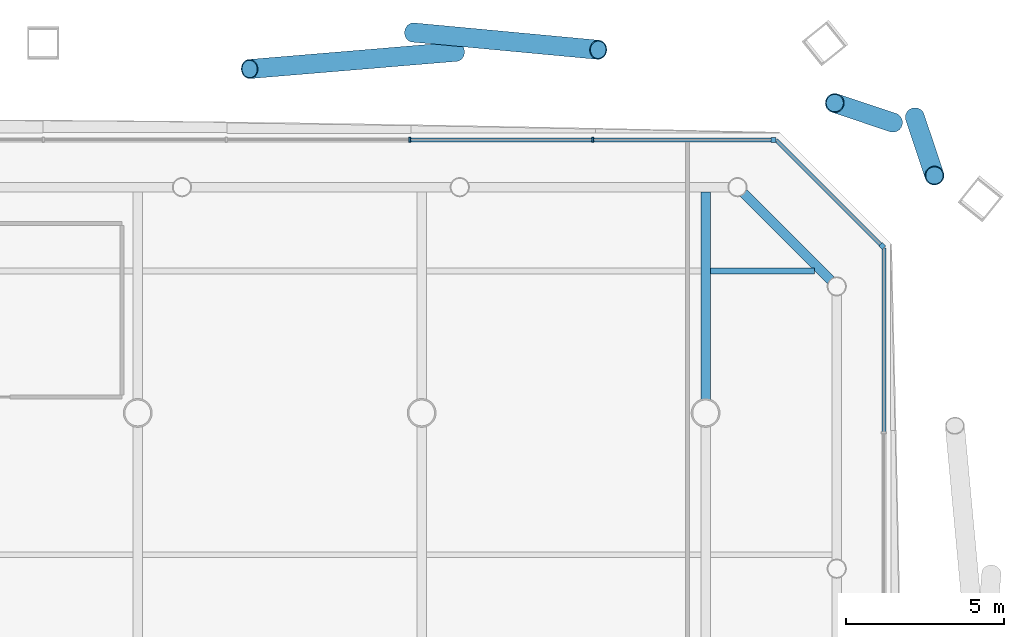
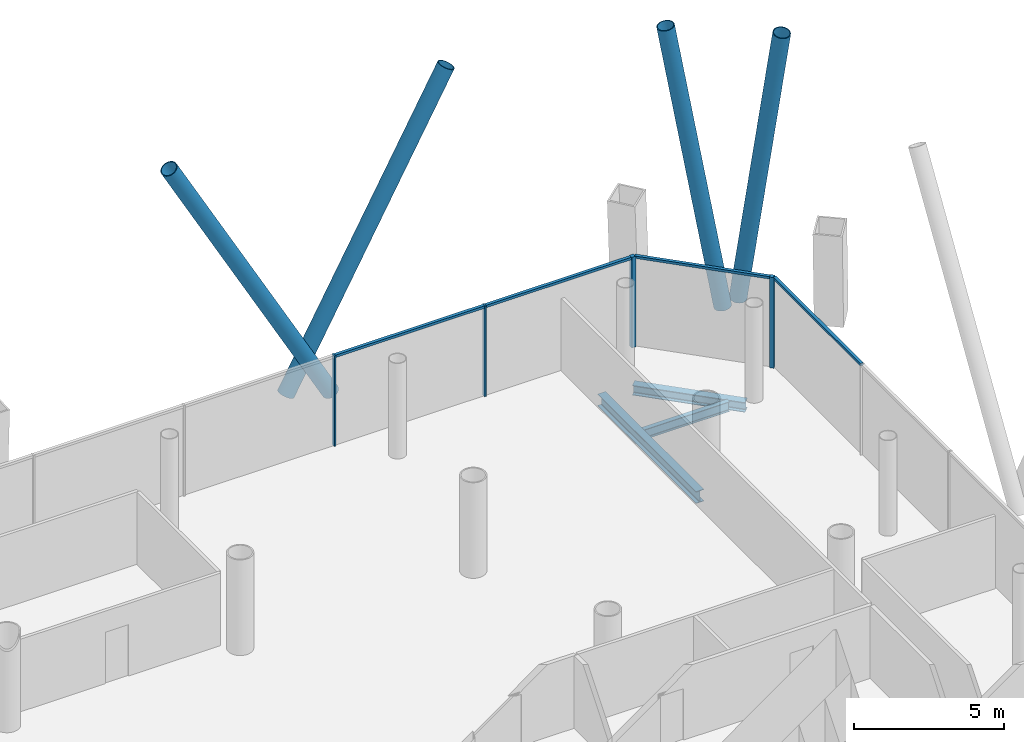
# One storey, part 15 of 25: 12 members, 3 beams, 3 elements without a shape of their own.
"""IFC4 building model written with IfcOpenShell, lengths in metres."""

import ifcopenshell
import ifcopenshell.guid

model = None  # the IFC model being written
_history = None  # IfcOwnerHistory: only IFC2X3 demands one
_inside = {}  # id of a spatial element -> (the spatial element, [elements in it])
_under = {}  # id of a project, library or spatial element -> (it, [spatial elements below it])
_declared = {}  # id of a project -> (the project, [libraries it declares])
_typed = {}  # id of a type object -> (the type object, [elements of that type])
_made_of = {}  # id of a material, layer set ... -> (it, [elements and type objects made of it])


def new_model(schema):
    """Start an empty IFC model of exactly this schema.

    Asked for "IFC4X3", IfcOpenShell would pick the latest addendum, in which some entities
    have other attributes; the version numbers below select the first issue.
    IFC2X3 requires an IfcOwnerHistory on every rooted entity: one is made here for all.
    """
    global model, _history
    if schema == "IFC4X3":
        model = ifcopenshell.file(schema_version=(4, 3, 0, 0))
    else:
        model = ifcopenshell.file(schema=schema)
    _inside.clear()
    _under.clear()
    _declared.clear()
    _typed.clear()
    _made_of.clear()
    _history = None
    if model.schema == "IFC2X3":
        org = make("IfcOrganization", Name="unknown")
        user = make(
            "IfcPersonAndOrganization",
            ThePerson=make("IfcPerson", FamilyName="unknown"),
            TheOrganization=org,
        )
        app = make(
            "IfcApplication",
            ApplicationDeveloper=org,
            Version="unknown",
            ApplicationFullName="unknown",
            ApplicationIdentifier="unknown",
        )
        _history = make(
            "IfcOwnerHistory",
            OwningUser=user,
            OwningApplication=app,
            ChangeAction="ADDED",
            CreationDate=0,
        )
    return model


def make(cls, **values):
    """One entity of the class cls with the attributes given. An attribute that is None is left unset."""
    return model.create_entity(
        cls, **{name: value for name, value in values.items() if value is not None}
    )


def rooted(cls, **values):
    """An entity with a GlobalId (a new one), such as an element, a storey or a relation."""
    return make(cls, GlobalId=ifcopenshell.guid.new(), OwnerHistory=_history, **values)


def si_unit(unit_type, name, prefix=None):
    """IfcSIUnit, for example si_unit("LENGTHUNIT", "METRE", prefix="MILLI")."""
    return make("IfcSIUnit", UnitType=unit_type, Prefix=prefix, Name=name)


def assignment(units):
    """IfcUnitAssignment: the units of a project."""
    return None if units is None else make("IfcUnitAssignment", Units=units)


def point(xyz):
    """IfcCartesianPoint."""
    return None if xyz is None else make("IfcCartesianPoint", Coordinates=xyz)


def direction(xyz):
    """IfcDirection."""
    return None if xyz is None else make("IfcDirection", DirectionRatios=xyz)


def frame(location, z_axis=None, x_axis=None):
    """IfcAxis2Placement3D, a coordinate frame: its origin and axes. An axis left out is left unset."""
    return make(
        "IfcAxis2Placement3D",
        Location=point(location),
        Axis=direction(z_axis),
        RefDirection=direction(x_axis),
    )


def frame_2d(location, x_axis=None):
    """IfcAxis2Placement2D, a coordinate frame in the plane: its origin and x axis."""
    return make(
        "IfcAxis2Placement2D", Location=point(location), RefDirection=direction(x_axis)
    )


def origin():
    """The frame at (0, 0, 0) with its axes left unset."""
    return frame((0.0, 0.0, 0.0))


def origin_2d():
    """The frame at (0, 0) in the plane with its x axis left unset."""
    return frame_2d((0.0, 0.0))


def place(relative_to, where):
    """IfcLocalPlacement: puts the frame where relative to a parent placement (None: the world)."""
    return make(
        "IfcLocalPlacement", PlacementRelTo=relative_to, RelativePlacement=where
    )


def context(
    kind, dimensions, precision=None, world=None, true_north=None, identifier=None
):
    """IfcGeometricRepresentationContext, for example the 3D "Model" context."""
    return make(
        "IfcGeometricRepresentationContext",
        ContextIdentifier=identifier,
        ContextType=kind,
        CoordinateSpaceDimension=dimensions,
        Precision=precision,
        WorldCoordinateSystem=world,
        TrueNorth=true_north,
    )


def subcontext(parent, identifier, kind, view, scale=None):
    """IfcGeometricRepresentationSubContext, for example "Body" below "Model"."""
    return make(
        "IfcGeometricRepresentationSubContext",
        ContextIdentifier=identifier,
        ContextType=kind,
        ParentContext=parent,
        TargetScale=scale,
        TargetView=view,
    )


def project(units=None, contexts=None):
    """IfcProject with its units and contexts."""
    return rooted(
        "IfcProject",
        Name="project",
        RepresentationContexts=contexts,
        UnitsInContext=assignment(units),
    )


def spatial(cls, under=None, at=None, **own):
    """A site, building, storey or space (cls), placed at a placement, below another one or the project."""
    s = rooted(cls, ObjectPlacement=at, **own)
    if under is not None:
        _under.setdefault(under.id(), (under, []))[1].append(s)
    return s


def profile(cls, at=None, kind="AREA", **sizes):
    """A parametric profile (cls). Its sizes go by their IFC names, for example OverallWidth=200.0."""
    return make(cls, ProfileType=kind, Position=at, **sizes)


def rectangle(**sizes):
    """IfcRectangleProfileDef."""
    return profile("IfcRectangleProfileDef", **sizes)


def hollow_circle(**sizes):
    """IfcCircleHollowProfileDef."""
    return profile("IfcCircleHollowProfileDef", **sizes)


def i_section(**sizes):
    """IfcIShapeProfileDef."""
    return profile("IfcIShapeProfileDef", **sizes)


def extrude(swept, where, along, depth):
    """IfcExtrudedAreaSolid: the profile swept, set in the frame where, extruded along a direction by depth."""
    return make(
        "IfcExtrudedAreaSolid",
        SweptArea=swept,
        Position=where,
        ExtrudedDirection=direction(along),
        Depth=depth,
    )


def shape(context_of_items, identifier, shape_type, items):
    """IfcShapeRepresentation: the items that make up one representation, for example the "Body"."""
    return make(
        "IfcShapeRepresentation",
        ContextOfItems=context_of_items,
        RepresentationIdentifier=identifier,
        RepresentationType=shape_type,
        Items=items,
    )


def material(Name=None, Category=None):
    """IfcMaterial."""
    return make("IfcMaterial", Name=Name, Category=Category)


def material_profile(
    of_material, cross_section, Name=None, Category=None, Priority=None
):
    """IfcMaterialProfile: a cross section and its material."""
    return make(
        "IfcMaterialProfile",
        Name=Name,
        Material=of_material,
        Profile=cross_section,
        Priority=Priority,
        Category=Category,
    )


def profile_set(profiles, Name=None, composite=None):
    """IfcMaterialProfileSet."""
    return make(
        "IfcMaterialProfileSet",
        Name=Name,
        MaterialProfiles=profiles,
        CompositeProfile=composite,
    )


def made_of(thing, what):
    """Note that an element or type object is made of a material, layer set ...; save() writes the relation."""
    if what is not None:
        _made_of.setdefault(what.id(), (what, []))[1].append(thing)
    return thing


def type_object(cls, material=None, **own):
    """A type object (cls), such as IfcWallType, which elements share."""
    return made_of(rooted(cls, **own), material)


def element(
    cls,
    number,
    at=None,
    inside=None,
    cuts=None,
    type_object=None,
    material=None,
    context=None,
    identifier="Body",
    shape_type=None,
    held_by="IfcProductDefinitionShape",
    body=None,
    shapes=None,
    **own,
):
    """One element of the class cls, such as IfcWall. Its Tag is "e" and its number.

    at: its placement. inside: the storey or other place that contains it. cuts: it is an
    opening in that element (IfcRelVoidsElement). A single representation is given by context,
    identifier, shape_type and body (its items); several are given by shapes. held_by: the class
    of the entity that holds the representations. save() writes the other relations.
    """
    e = rooted(cls, Tag="e%d" % number, ObjectPlacement=at, **own)
    if body is not None:
        shapes = [shape(context, identifier, shape_type, body)]
    if shapes is not None:
        e.Representation = make(held_by, Representations=shapes)
    if inside is not None:
        _inside.setdefault(inside.id(), (inside, []))[1].append(e)
    if cuts is not None:
        rooted(
            "IfcRelVoidsElement", RelatingBuildingElement=cuts, RelatedOpeningElement=e
        )
    if type_object is not None:
        _typed.setdefault(type_object.id(), (type_object, []))[1].append(e)
    return made_of(e, material)


def aggregate(whole, parts):
    """IfcRelAggregates: a whole, such as a stair, and the parts it consists of."""
    return rooted("IfcRelAggregates", RelatingObject=whole, RelatedObjects=parts)


def save(model, path):
    """Write the relations noted so far, then the file.

    IfcRelAggregates (storeys below a building ...), IfcRelContainedInSpatialStructure (elements
    in a storey), IfcRelDefinesByType, IfcRelAssociatesMaterial and IfcRelDeclares: one each for
    every whole, place, type object, material and project.
    """
    for whole, parts in _under.values():
        aggregate(whole, parts)
    for where, things in _inside.values():
        rooted(
            "IfcRelContainedInSpatialStructure",
            RelatedElements=things,
            RelatingStructure=where,
        )
    for kind, things in _typed.values():
        rooted("IfcRelDefinesByType", RelatedObjects=things, RelatingType=kind)
    for what, things in _made_of.values():
        rooted("IfcRelAssociatesMaterial", RelatedObjects=things, RelatingMaterial=what)
    for by, libraries in _declared.values():
        rooted("IfcRelDeclares", RelatingContext=by, RelatedDefinitions=libraries)
    model.write(path)


model = new_model("IFC4")

# Units and contexts
model_context = context("Model", 3, precision=1e-05, world=origin(), true_north=direction((0.0, 1.0)))
body_context = subcontext(model_context, "Body", "Model", "MODEL_VIEW")
ifc_project = project(units=[si_unit("LENGTHUNIT", "METRE"), si_unit("AREAUNIT", "SQUARE_METRE"), si_unit("VOLUMEUNIT", "CUBIC_METRE"), si_unit("PLANEANGLEUNIT", "RADIAN"), si_unit("MASSUNIT", "GRAM", prefix="KILO")], contexts=[model_context])

# Site, building, storey
site_placement = place(None, origin())
site = spatial("IfcSite", under=ifc_project, at=site_placement, CompositionType="ELEMENT")
building_placement = place(site_placement, origin())
building = spatial("IfcBuilding", under=site, at=building_placement, Name="Tskaro Facet Tower", CompositionType="ELEMENT")
storey_placement = place(building_placement, frame((0.0, 0.0, 34.199951171875)))
storey = spatial("IfcBuildingStorey", under=building, at=storey_placement, Name="L07", CompositionType="ELEMENT", Elevation=34.199951171875)

# Members
ifc_material_1 = material(Name="Steel S355J2H", Category="steel")
ifc_material_profile_1 = material_profile(ifc_material_1, hollow_circle(Radius=0.304931640625, WallThickness=0.030029296875, at=origin_2d()), Name="CHS 610x30")
ifc_profile_set_1 = profile_set([ifc_material_profile_1], Name="Steel S355J2H")
member_type_1 = type_object("IfcMemberType", Name="CHS 610x30 brace", PredefinedType="BRACE", material=ifc_profile_set_1)
for number, where, z_axis, x_axis, name in (
    (1, (23.94091796875, 27.204345703125, 0.0), (-0.155713839372, 0.052220226105, 0.986420928516), (-0.317956764888, -0.948105213392, 0.0), "CHS 610x30 XB06A/1"),
    (2, (24.6357421875, 27.3720703125, 0.0), (0.052220393468, -0.155693754903, 0.986424089928), (0.948092540926, 0.317994550017, 0.0), "CHS 610x30 XB06B/1"),
):
    element("IfcMember", number, at=place(storey_placement, frame(where, z_axis=z_axis, x_axis=x_axis)), inside=storey, type_object=member_type_1, Name=name, PredefinedType="BRACE", context=body_context, shape_type="SweptSolid", body=[
        extrude(hollow_circle(Radius=0.304931640625, WallThickness=0.030029296875, at=origin_2d()), origin(), (0.0, 0.0, 1.0), 11.861083984375),
    ])
member_1_placement = place(storey_placement, frame((10.090576171875, 29.449462890625, 0.0), z_axis=(-0.487823893138, -0.040812718848, 0.871987483433), x_axis=(0.083371543029, -0.996518532599, 0.0)))
element("IfcMember", 3, at=member_1_placement, inside=storey, type_object=member_type_1, Name="CHS 610x30 XB07A/1", PredefinedType="BRACE", context=body_context, shape_type="SweptSolid", body=[
    extrude(hollow_circle(Radius=0.304931640625, WallThickness=0.030029296875, at=origin_2d()), origin(), (0.0, 0.0, 1.0), 13.41748046875),
])
member_2_placement = place(storey_placement, frame((8.7314453125, 30.0595703125, 0.0), z_axis=(0.447783743865, -0.041822472373, 0.893163254693), x_axis=(0.092994089186, 0.995666660774, 0.0)))
element("IfcMember", 4, at=member_2_placement, inside=storey, type_object=member_type_1, Name="CHS 610x30 XB07B/1", PredefinedType="BRACE", context=body_context, shape_type="SweptSolid", body=[
    extrude(hollow_circle(Radius=0.304931640625, WallThickness=0.030029296875, at=origin_2d()), origin(), (0.0, 0.0, 1.0), 13.099365234375),
])

# Curtain wall, member
ifc_material_2 = material(Name="Bronze anodised aluminium 6063-T6", Category="aluminium")
curtain_wall_type = type_object("IfcCurtainWallType", Name="Bronze office curtain wall (FW1)", PredefinedType="NOTDEFINED", material=ifc_material_2)
curtain_wall_1_placement = place(storey_placement, origin())
curtain_wall_1 = element("IfcCurtainWall", 5, at=curtain_wall_1_placement, inside=storey, type_object=curtain_wall_type, Name="FW1 north-east facet L07", PredefinedType="NOTDEFINED")
ifc_material_profile_2 = material_profile(ifc_material_2, rectangle(XDim=0.159912109375, YDim=0.159912109375, at=origin_2d()), Name="Corner post 160x160")
ifc_profile_set_2 = profile_set([ifc_material_profile_2], Name="Bronze anodised aluminium 6063-T6")
member_type_2 = type_object("IfcMemberType", Name="FW1 bronze corner post 160x160", PredefinedType="MULLION", material=ifc_profile_set_2)
member_3_placement = place(storey_placement, frame((23.597412109375, 23.29150390625, 0.0), z_axis=(0.0, 0.0, 1.0), x_axis=(-0.707106781187, 0.707106781187, 0.0)))
member_3 = element("IfcMember", 6, at=member_3_placement, type_object=member_type_2, Name="FW1 north-east corner post", PredefinedType="MULLION", context=body_context, shape_type="SweptSolid", body=[
    extrude(rectangle(XDim=0.159912109375, YDim=0.159912109375, at=origin_2d()), origin(), (0.0, 0.0, 1.0), 3.699951171875),
])

# Curtain wall, members
curtain_wall_2_placement = place(storey_placement, origin())
curtain_wall_2 = element("IfcCurtainWall", 7, at=curtain_wall_2_placement, inside=storey, type_object=curtain_wall_type, Name="FW1 north facet L07", PredefinedType="NOTDEFINED")
member_4_placement = place(storey_placement, frame((20.155029296875, 26.654052734375, 0.0), z_axis=(0.0, 0.0, 1.0), x_axis=(-1.0, 0.0, 0.0)))
member_4 = element("IfcMember", 8, at=member_4_placement, type_object=member_type_2, Name="FW1 north corner post", PredefinedType="MULLION", context=body_context, shape_type="SweptSolid", body=[
    extrude(rectangle(XDim=0.159912109375, YDim=0.159912109375, at=origin_2d()), origin(), (0.0, 0.0, 1.0), 3.699951171875),
])
ifc_material_profile_3 = material_profile(ifc_material_2, rectangle(XDim=0.06005859375, YDim=0.159912109375, at=origin_2d()), Name="Mullion 60x160")
ifc_profile_set_3 = profile_set([ifc_material_profile_3], Name="Bronze anodised aluminium 6063-T6")
member_type_3 = type_object("IfcMemberType", Name="FW1 bronze mullion 60x160", PredefinedType="MULLION", material=ifc_profile_set_3)
member_5_placement = place(storey_placement, frame((14.42626953125, 26.654052734375, 0.0), z_axis=(0.0, 0.0, 1.0), x_axis=(-1.0, 0.0, 0.0)))
member_5 = element("IfcMember", 9, at=member_5_placement, type_object=member_type_3, Name="FW1 north mullion 1", PredefinedType="MULLION", context=body_context, shape_type="SweptSolid", body=[
    extrude(rectangle(XDim=0.06005859375, YDim=0.159912109375, at=origin_2d()), origin(), (0.0, 0.0, 1.0), 3.699951171875),
])
member_6_placement = place(storey_placement, frame((8.617431640625, 26.654052734375, 0.0), z_axis=(0.0, 0.0, 1.0), x_axis=(-1.0, 0.0, 0.0)))
member_6 = element("IfcMember", 10, at=member_6_placement, type_object=member_type_3, Name="FW1 north mullion 2", PredefinedType="MULLION", context=body_context, shape_type="SweptSolid", body=[
    extrude(rectangle(XDim=0.06005859375, YDim=0.159912109375, at=origin_2d()), origin(), (0.0, 0.0, 1.0), 3.699951171875),
])

# Curtain wall, member
curtain_wall_3_placement = place(storey_placement, origin())
curtain_wall_3 = element("IfcCurtainWall", 11, at=curtain_wall_3_placement, inside=storey, type_object=curtain_wall_type, Name="FW1 east facet L07", PredefinedType="NOTDEFINED")
ifc_material_profile_4 = material_profile(ifc_material_2, rectangle(XDim=0.1201171875, YDim=0.10009765625, at=origin_2d()), Name="Transom 120x100")
ifc_profile_set_4 = profile_set([ifc_material_profile_4], Name="Bronze anodised aluminium 6063-T6")
member_type_4 = type_object("IfcMemberType", Name="FW1 bronze transom 120x100", PredefinedType="USERDEFINED", material=ifc_profile_set_4)
member_7_placement = place(storey_placement, frame((23.654052734375, 17.396484375, 3.650146484375), z_axis=(0.0, 1.0, 0.0), x_axis=(-1.0, 0.0, 0.0)))
member_7 = element("IfcMember", 12, at=member_7_placement, type_object=member_type_4, Name="FW1 east transom 8.1", ObjectType="TRANSOM", PredefinedType="USERDEFINED", context=body_context, shape_type="SweptSolid", body=[
    extrude(rectangle(XDim=0.1201171875, YDim=0.10009765625, at=origin_2d()), origin(), (0.0, 0.0, 1.0), 5.838623046875),
])
aggregate(curtain_wall_3, [member_7])

# Member
member_8_placement = place(storey_placement, frame((23.540771484375, 23.34814453125, 3.650146484375), z_axis=(-0.707080669897, 0.707132891512, 0.0), x_axis=(-0.707132891512, -0.707080669897, 0.0)))
member_8 = element("IfcMember", 13, at=member_8_placement, type_object=member_type_4, Name="FW1 north-east transom 1.1", ObjectType="TRANSOM", PredefinedType="USERDEFINED", context=body_context, shape_type="SweptSolid", body=[
    extrude(rectangle(XDim=0.1201171875, YDim=0.10009765625, at=origin_2d()), origin(), (0.0, 0.0, 1.0), 4.675048828125),
])

aggregate(curtain_wall_1, [member_3, member_8])

member_9_placement = place(storey_placement, frame((20.074951171875, 26.654052734375, 3.650146484375), z_axis=(-1.0, 0.0, 0.0), x_axis=(0.0, -1.0, 0.0)))
member_9 = element("IfcMember", 14, at=member_9_placement, type_object=member_type_4, Name="FW1 north transom 1.1", ObjectType="TRANSOM", PredefinedType="USERDEFINED", context=body_context, shape_type="SweptSolid", body=[
    extrude(rectangle(XDim=0.1201171875, YDim=0.10009765625, at=origin_2d()), origin(), (0.0, 0.0, 1.0), 5.61865234375),
])

member_10_placement = place(storey_placement, frame((14.396240234375, 26.654052734375, 3.650146484375), z_axis=(-1.0, 0.0, 0.0), x_axis=(0.0, -1.0, 0.0)))
member_10 = element("IfcMember", 15, at=member_10_placement, type_object=member_type_4, Name="FW1 north transom 2.1", ObjectType="TRANSOM", PredefinedType="USERDEFINED", context=body_context, shape_type="SweptSolid", body=[
    extrude(rectangle(XDim=0.1201171875, YDim=0.10009765625, at=origin_2d()), origin(), (0.0, 0.0, 1.0), 5.748779296875),
])

aggregate(curtain_wall_2, [member_4, member_5, member_6, member_9, member_10])

# Beams
ifc_material_3 = material(Name="Steel S355J2", Category="steel")
ifc_material_profile_5 = material_profile(ifc_material_3, i_section(OverallWidth=0.300048828125, OverallDepth=0.39990234375, WebThickness=0.013427734375, FlangeThickness=0.02392578125, FilletRadius=0.027099609375, at=origin_2d()), Name="HE 400 B")
ifc_profile_set_5 = profile_set([ifc_material_profile_5], Name="Steel S355J2")
beam_type_1 = type_object("IfcBeamType", Name="HE 400 B ring beam", PredefinedType="BEAM", material=ifc_profile_set_5)
beam_1_placement = place(storey_placement, frame((21.962646484375, 22.20654296875, -0.33984375), z_axis=(-0.707106781187, 0.707106781187, 0.0), x_axis=(-0.707106781187, -0.707106781187, 0.0)))
element("IfcBeam", 16, at=beam_1_placement, inside=storey, type_object=beam_type_1, Name="HE 400 B EB13-1", PredefinedType="BEAM", context=body_context, shape_type="SweptSolid", body=[
    extrude(i_section(OverallWidth=0.300048828125, OverallDepth=0.39990234375, WebThickness=0.013427734375, FlangeThickness=0.02392578125, FilletRadius=0.027099609375, at=origin_2d()), origin(), (0.0, 0.0, 1.0), 3.897705078125),
])
ifc_material_profile_6 = material_profile(ifc_material_3, i_section(OverallWidth=0.300048828125, OverallDepth=0.489990234375, WebThickness=0.011962890625, FlangeThickness=0.02294921875, FilletRadius=0.027099609375, at=origin_2d()), Name="HE 500 A")
ifc_profile_set_6 = profile_set([ifc_material_profile_6], Name="Steel S355J2")
beam_type_2 = type_object("IfcBeamType", Name="HE 500 A girder", PredefinedType="BEAM", material=ifc_profile_set_6)
beam_2_placement = place(storey_placement, frame((18.0, 18.42724609375, -0.385009765625), z_axis=(0.0, 1.0, 0.0), x_axis=(-1.0, 0.0, 0.0)))
element("IfcBeam", 17, at=beam_2_placement, inside=storey, type_object=beam_type_2, Name="HE 500 A GB6-6-1", PredefinedType="BEAM", context=body_context, shape_type="SweptSolid", body=[
    extrude(i_section(OverallWidth=0.300048828125, OverallDepth=0.489990234375, WebThickness=0.011962890625, FlangeThickness=0.02294921875, FilletRadius=0.027099609375, at=origin_2d()), origin(), (0.0, 0.0, 1.0), 6.579833984375),
])
ifc_material_profile_7 = material_profile(ifc_material_3, i_section(OverallWidth=0.179931640625, OverallDepth=0.39990234375, WebThickness=0.008544921875, FlangeThickness=0.013427734375, FilletRadius=0.02099609375, at=origin_2d()), Name="IPE 400")
ifc_profile_set_7 = profile_set([ifc_material_profile_7], Name="Steel S355J2")
beam_type_3 = type_object("IfcBeamType", Name="IPE 400 secondary beam", PredefinedType="BEAM", material=ifc_profile_set_7)
beam_3_placement = place(storey_placement, frame((18.14990234375, 22.5, -0.33984375), z_axis=(1.0, 0.0, 0.0), x_axis=(0.0, 1.0, 0.0)))
element("IfcBeam", 18, at=beam_3_placement, inside=storey, type_object=beam_type_3, Name="IPE 400 SB6a-6-1", PredefinedType="BEAM", context=body_context, shape_type="SweptSolid", body=[
    extrude(i_section(OverallWidth=0.179931640625, OverallDepth=0.39990234375, WebThickness=0.008544921875, FlangeThickness=0.013427734375, FilletRadius=0.02099609375, at=origin_2d()), origin(), (0.0, 0.0, 1.0), 3.30712890625),
])

save(model, "model.ifc")
